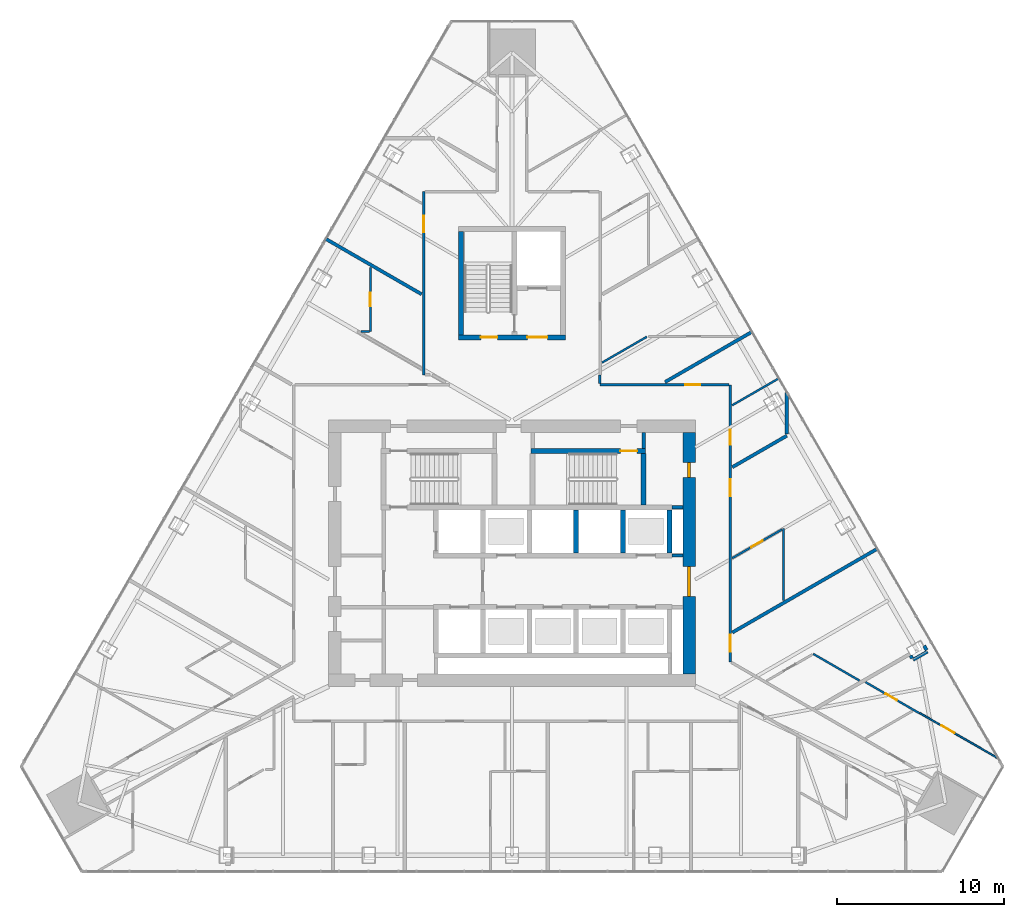
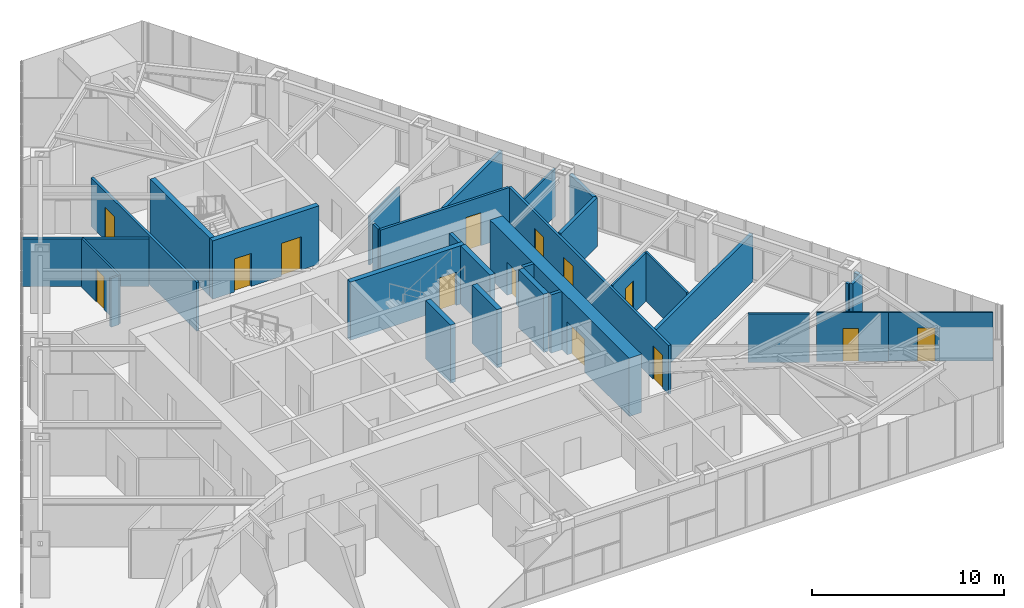
# One storey, part 21 of 24: 32 walls, 14 doors, 14 openings.
"""IFC4 building model written with IfcOpenShell, lengths in metres."""

from ifc_helpers import new_model, si_unit, direction, frame, frame_2d, origin, place, context, subcontext, project, spatial, rectangle, extrude, material, layer, layer_set, type_object, element, fill, save


model = new_model("IFC4")

# Units and contexts
model_context = context("Model", 3, precision=1e-05, world=origin(), true_north=direction((0.0, 1.0)))
body_context = subcontext(model_context, "Body", "Model", "MODEL_VIEW")
ifc_project = project(units=[si_unit("LENGTHUNIT", "METRE"), si_unit("AREAUNIT", "SQUARE_METRE"), si_unit("VOLUMEUNIT", "CUBIC_METRE"), si_unit("PLANEANGLEUNIT", "RADIAN"), si_unit("MASSUNIT", "GRAM", prefix="KILO")], contexts=[model_context])

# Site, building, storey
site_placement = place(None, origin())
site = spatial("IfcSite", under=ifc_project, at=site_placement, CompositionType="ELEMENT")
building_placement = place(site_placement, origin())
building = spatial("IfcBuilding", under=site, at=building_placement, Name="Firuza Gate Tower and Library", CompositionType="ELEMENT")
storey_placement = place(building_placement, frame((0.0, 0.0, 206.5)))
storey = spatial("IfcBuildingStorey", under=building, at=storey_placement, Name="L48", CompositionType="ELEMENT", Elevation=206.5)

# Walls
ifc_material_1 = material(Name="Plasterboard on steel studs", Category="steel")
ifc_layer_1 = layer(ifc_material_1, 0.199951171875)
ifc_layer_set_1 = layer_set([ifc_layer_1], Name="Core partition 200 EI 120")
wall_type_1 = type_object("IfcWallType", Name="Core partition 200 EI 120", PredefinedType="PARTITIONING", material=ifc_layer_set_1)
for number, where, z_axis, x_axis, name in (
    (1, (84.60009765625, 74.85009765625, 0.0), (0.0, 0.0, 1.0), (1.0, 0.0, 0.0), "Core partition L48 5"),
    (2, (84.60009765625, 77.75, 0.0), (0.0, 0.0, 1.0), (1.0, 0.0, 0.0), "Core partition L48 6"),
):
    element("IfcWall", number, at=place(storey_placement, frame(where, z_axis=z_axis, x_axis=x_axis)), inside=storey, type_object=wall_type_1, Name=name, PredefinedType="PARTITIONING", context=body_context, shape_type="SweptSolid", body=[
        extrude(rectangle(XDim=0.64990234375, YDim=0.199951171875, at=frame_2d((0.324951171875, 0.0))), origin(), (0.0, 0.0, 1.0), 3.699951171875),
    ])
ifc_material_2 = material(Name="Plasterboard on steel studs", Category="steel")
ifc_layer_2 = layer(ifc_material_2, 0.199951171875)
ifc_layer_set_2 = layer_set([ifc_layer_2], Name="Core partition 200 EI 60")
wall_type_2 = type_object("IfcWallType", Name="Core partition 200 EI 60", PredefinedType="PARTITIONING", material=ifc_layer_set_2)
wall_1_placement = place(storey_placement, frame((82.89990234375, 81.280029296875, 0.0), z_axis=(0.0, 0.0, 1.0), x_axis=(0.0, 1.0, 0.0)))
element("IfcWall", 3, at=wall_1_placement, inside=storey, type_object=wall_type_2, Name="Core partition L48 14", PredefinedType="PARTITIONING", context=body_context, shape_type="SweptSolid", body=[
    extrude(rectangle(XDim=0.969970703125, YDim=0.199951171875, at=frame_2d((0.48486328125, 0.0))), origin(), (0.0, 0.0, 1.0), 3.699951171875),
])
ifc_material_3 = material(Name="Concrete C80/95", Category="concrete")
ifc_layer_3 = layer(ifc_material_3, 0.300048828125)
ifc_layer_set_3 = layer_set([ifc_layer_3], Name="Core wall 300 C80/95")
wall_type_3 = type_object("IfcWallType", Name="Core wall 300 C80/95", PredefinedType="SHEAR", material=ifc_layer_set_3)
for number, where, z_axis, x_axis, name in (
    (4, (78.85009765625, 75.0, 0.0), (0.0, 0.0, 1.0), (0.0, 1.0, 0.0), "Core wall L48 15"),
    (5, (81.64990234375, 75.0, 0.0), (0.0, 0.0, 1.0), (0.0, 1.0, 0.0), "Core wall L48 17"),
    (6, (84.449951171875, 75.0, 0.0), (0.0, 0.0, 1.0), (0.0, 1.0, 0.0), "Core wall L48 19"),
):
    element("IfcWall", number, at=place(storey_placement, frame(where, z_axis=z_axis, x_axis=x_axis)), inside=storey, type_object=wall_type_3, Name=name, PredefinedType="SHEAR", context=body_context, shape_type="SweptSolid", body=[
        extrude(rectangle(XDim=2.60009765625, YDim=0.300048828125, at=frame_2d((1.300048828125, 0.0))), origin(), (0.0, 0.0, 1.0), 3.699951171875),
    ])

# Wall, opening, door
wall_2_placement = place(storey_placement, frame((76.139892578125, 81.1298828125, 0.0), z_axis=(0.0, 0.0, 1.0), x_axis=(1.0, 0.0, 0.0)))
wall_2 = element("IfcWall", 7, at=wall_2_placement, inside=storey, type_object=wall_type_3, Name="Core wall L48 22", PredefinedType="SHEAR", context=body_context, shape_type="SweptSolid", body=[
    extrude(rectangle(XDim=6.860107421875, YDim=0.300048828125, at=frame_2d((3.43017578125, 0.0))), origin(), (0.0, 0.0, 1.0), 3.699951171875),
])
opening_1_placement = place(wall_2_placement, frame((5.364990234375, 0.0, 0.0)))
opening_1 = element("IfcOpeningElement", 8, at=opening_1_placement, cuts=wall_2, Name="Opening L48-K13", PredefinedType="OPENING", context=body_context, shape_type="SweptSolid", body=[
    extrude(rectangle(XDim=1.0, YDim=2.10009765625, at=frame_2d((0.5, 1.050048828125))), frame((0.0, 0.16015625, 0.0), z_axis=(0.0, -1.0, 0.0), x_axis=(1.0, 0.0, 0.0)), (0.0, 0.0, 1.0), 0.320068359375),
])
ifc_material_4 = material(Name="Steel", Category="steel")
door_type_1 = type_object("IfcDoorType", Name="Fire door 1000x2100 FD90", OperationType="NOTDEFINED", PredefinedType="DOOR", material=ifc_material_4)
door_1_placement = place(opening_1_placement, origin())
door_1 = element("IfcDoor", 9, at=door_1_placement, inside=storey, type_object=door_type_1, Name="Door L48-K13", OperationType="SINGLE_SWING_RIGHT", OverallHeight=2.10009765625, OverallWidth=1.0, PredefinedType="DOOR", context=body_context, shape_type="SweptSolid", body=[
    extrude(rectangle(XDim=1.0, YDim=2.10009765625, at=frame_2d((0.5, 1.050048828125))), frame((0.0, 0.02490234375, 0.0), z_axis=(0.0, -1.0, 0.0), x_axis=(1.0, 0.0, 0.0)), (0.0, 0.0, 1.0), 0.050048828125),
])
fill(opening_1, door_1)

# Wall
wall_3_placement = place(storey_placement, frame((82.89990234375, 77.89990234375, 0.0), z_axis=(0.0, 0.0, 1.0), x_axis=(0.0, 1.0, 0.0)))
element("IfcWall", 10, at=wall_3_placement, inside=storey, type_object=wall_type_3, Name="Core wall L48 26", PredefinedType="SHEAR", context=body_context, shape_type="SweptSolid", body=[
    extrude(rectangle(XDim=3.080078125, YDim=0.300048828125, at=frame_2d((1.5400390625, 0.0))), origin(), (0.0, 0.0, 1.0), 3.699951171875),
])

# Wall, openings, doors
wall_4_placement = place(storey_placement, frame((71.800048828125, 87.949951171875, 0.0), z_axis=(0.0, 0.0, 1.0), x_axis=(1.0, 0.0, 0.0)))
wall_4 = element("IfcWall", 11, at=wall_4_placement, inside=storey, type_object=wall_type_3, Name="Core wall L48 27", PredefinedType="SHEAR", context=body_context, shape_type="SweptSolid", body=[
    extrude(rectangle(XDim=6.39990234375, YDim=0.300048828125, at=frame_2d((3.199951171875, 0.0))), origin(), (0.0, 0.0, 1.0), 3.699951171875),
])
opening_2_placement = place(wall_4_placement, frame((1.324951171875, 0.0, 0.0)))
opening_2 = element("IfcOpeningElement", 12, at=opening_2_placement, cuts=wall_4, Name="Opening L48-K15", PredefinedType="OPENING", context=body_context, shape_type="SweptSolid", body=[
    extrude(rectangle(XDim=1.0, YDim=2.10009765625, at=frame_2d((0.5, 1.050048828125))), frame((0.0, 0.16015625, 0.0), z_axis=(0.0, -1.0, 0.0), x_axis=(1.0, 0.0, 0.0)), (0.0, 0.0, 1.0), 0.320068359375),
])
opening_3_placement = place(wall_4_placement, frame((4.125, 0.0, 0.0)))
opening_3 = element("IfcOpeningElement", 13, at=opening_3_placement, cuts=wall_4, Name="Opening L48-K17", PredefinedType="OPENING", context=body_context, shape_type="SweptSolid", body=[
    extrude(rectangle(XDim=1.199951171875, YDim=2.10009765625, at=frame_2d((0.60009765625, 1.050048828125))), frame((0.0, 0.16015625, 0.0), z_axis=(0.0, -1.0, 0.0), x_axis=(1.0, 0.0, 0.0)), (0.0, 0.0, 1.0), 0.320068359375),
])
door_2_placement = place(opening_2_placement, origin())
door_2 = element("IfcDoor", 14, at=door_2_placement, inside=storey, type_object=door_type_1, Name="Door L48-K15", OperationType="SINGLE_SWING_RIGHT", OverallHeight=2.10009765625, OverallWidth=1.0, PredefinedType="DOOR", context=body_context, shape_type="SweptSolid", body=[
    extrude(rectangle(XDim=1.0, YDim=2.10009765625, at=frame_2d((0.5, 1.050048828125))), frame((0.0, 0.02490234375, 0.0), z_axis=(0.0, -1.0, 0.0), x_axis=(1.0, 0.0, 0.0)), (0.0, 0.0, 1.0), 0.050048828125),
])
fill(opening_2, door_2)
ifc_material_5 = material(Name="Steel", Category="steel")
door_type_2 = type_object("IfcDoorType", Name="Fire door 1200x2100 FD30S", OperationType="NOTDEFINED", PredefinedType="DOOR", material=ifc_material_5)
door_3_placement = place(opening_3_placement, origin())
door_3 = element("IfcDoor", 15, at=door_3_placement, inside=storey, type_object=door_type_2, Name="Door L48-K17", OperationType="SINGLE_SWING_RIGHT", OverallHeight=2.10009765625, OverallWidth=1.199951171875, PredefinedType="DOOR", context=body_context, shape_type="SweptSolid", body=[
    extrude(rectangle(XDim=1.199951171875, YDim=2.10009765625, at=frame_2d((0.60009765625, 1.050048828125))), frame((0.0, 0.02490234375, 0.0), z_axis=(0.0, -1.0, 0.0), x_axis=(1.0, 0.0, 0.0)), (0.0, 0.0, 1.0), 0.050048828125),
])
fill(opening_3, door_3)

# Wall
wall_5_placement = place(storey_placement, frame((71.949951171875, 88.10009765625, 0.0), z_axis=(0.0, 0.0, 1.0), x_axis=(0.0, 1.0, 0.0)))
element("IfcWall", 16, at=wall_5_placement, inside=storey, type_object=wall_type_3, Name="Core wall L48 29", PredefinedType="SHEAR", context=body_context, shape_type="SweptSolid", body=[
    extrude(rectangle(XDim=6.199951171875, YDim=0.300048828125, at=frame_2d((3.10009765625, 0.0))), origin(), (0.0, 0.0, 1.0), 3.699951171875),
])

# Wall, openings, doors
ifc_material_6 = material(Name="Concrete C80/95", Category="concrete")
ifc_layer_4 = layer(ifc_material_6, 0.75)
ifc_layer_set_4 = layer_set([ifc_layer_4], Name="Core wall 750 C80/95")
wall_type_4 = type_object("IfcWallType", Name="Core wall 750 C80/95", PredefinedType="SHEAR", material=ifc_layer_set_4)
wall_6_placement = place(storey_placement, frame((85.625, 67.75, 0.0), z_axis=(0.0, 0.0, 1.0), x_axis=(0.0, 1.0, 0.0)))
wall_6 = element("IfcWall", 17, at=wall_6_placement, inside=storey, type_object=wall_type_4, Name="Core wall L48 4", PredefinedType="SHEAR", context=body_context, shape_type="SweptSolid", body=[
    extrude(rectangle(XDim=14.5, YDim=0.75, at=frame_2d((7.25, 0.0))), origin(), (0.0, 0.0, 1.0), 3.699951171875),
])
opening_4_placement = place(wall_6_placement, frame((4.64990234375, 0.0, 0.0)))
opening_4 = element("IfcOpeningElement", 18, at=opening_4_placement, cuts=wall_6, Name="Opening L48-K21", PredefinedType="OPENING", context=body_context, shape_type="SweptSolid", body=[
    extrude(rectangle(XDim=1.800048828125, YDim=2.10009765625, at=frame_2d((0.89990234375, 1.050048828125))), frame((0.0, 0.385009765625, 0.0), z_axis=(0.0, -1.0, 0.0), x_axis=(1.0, 0.0, 0.0)), (0.0, 0.0, 1.0), 0.77001953125),
])
opening_5_placement = place(wall_6_placement, frame((11.800048828125, 0.0, 0.0)))
opening_5 = element("IfcOpeningElement", 19, at=opening_5_placement, cuts=wall_6, Name="Opening L48-K27", PredefinedType="OPENING", context=body_context, shape_type="SweptSolid", body=[
    extrude(rectangle(XDim=0.89990234375, YDim=2.10009765625, at=frame_2d((0.449951171875, 1.050048828125))), frame((0.0, 0.385009765625, 0.0), z_axis=(0.0, -1.0, 0.0), x_axis=(1.0, 0.0, 0.0)), (0.0, 0.0, 1.0), 0.77001953125),
])
ifc_material_7 = material(Name="Steel", Category="steel")
door_type_3 = type_object("IfcDoorType", Name="Fire door 1800x2100 FD30S", OperationType="NOTDEFINED", PredefinedType="DOOR", material=ifc_material_7)
door_4_placement = place(opening_4_placement, origin())
door_4 = element("IfcDoor", 20, at=door_4_placement, inside=storey, type_object=door_type_3, Name="Door L48-K21", OperationType="SINGLE_SWING_RIGHT", OverallHeight=2.10009765625, OverallWidth=1.800048828125, PredefinedType="DOOR", context=body_context, shape_type="SweptSolid", body=[
    extrude(rectangle(XDim=1.800048828125, YDim=2.10009765625, at=frame_2d((0.89990234375, 1.050048828125))), frame((0.0, 0.094970703125, 0.0), z_axis=(0.0, -1.0, 0.0), x_axis=(1.0, 0.0, 0.0)), (0.0, 0.0, 1.0), 0.18994140625),
])
fill(opening_4, door_4)
ifc_material_8 = material(Name="Steel", Category="steel")
door_type_4 = type_object("IfcDoorType", Name="Fire door 900x2100 FD30S", OperationType="NOTDEFINED", PredefinedType="DOOR", material=ifc_material_8)
door_5_placement = place(opening_5_placement, origin())
door_5 = element("IfcDoor", 21, at=door_5_placement, inside=storey, type_object=door_type_4, Name="Door L48-K27", OperationType="SINGLE_SWING_RIGHT", OverallHeight=2.10009765625, OverallWidth=0.89990234375, PredefinedType="DOOR", context=body_context, shape_type="SweptSolid", body=[
    extrude(rectangle(XDim=0.89990234375, YDim=2.10009765625, at=frame_2d((0.449951171875, 1.050048828125))), frame((0.0, 0.094970703125, 0.0), z_axis=(0.0, -1.0, 0.0), x_axis=(1.0, 0.0, 0.0)), (0.0, 0.0, 1.0), 0.18994140625),
])
fill(opening_5, door_5)

# Wall, opening, door
ifc_material_9 = material(Name="Gypsum board partition")
ifc_layer_5 = layer(ifc_material_9, 0.14990234375)
ifc_layer_set_5 = layer_set([ifc_layer_5], Name="Corridor wall 150 double board on steel studs")
wall_type_5 = type_object("IfcWallType", Name="Corridor wall 150 double board on steel studs", PredefinedType="PARTITIONING", material=ifc_layer_set_5)
wall_7_placement = place(storey_placement, frame((80.280517578125, 85.10009765625, 0.0), z_axis=(0.0, 0.0, 1.0), x_axis=(1.0, 0.0, 0.0)))
wall_7 = element("IfcWall", 22, at=wall_7_placement, inside=storey, type_object=wall_type_5, Name="f:L48:w010", PredefinedType="PARTITIONING", context=body_context, shape_type="SweptSolid", body=[
    extrude(rectangle(XDim=7.744384765625, YDim=0.14990234375, at=frame_2d((3.8720703125, 0.0))), origin(), (0.0, 0.0, 1.0), 3.10009765625),
])
opening_6_placement = place(wall_7_placement, frame((5.13037109375, 0.0, 0.0)))
opening_6 = element("IfcOpeningElement", 23, at=opening_6_placement, cuts=wall_7, Name="Opening L48-10", PredefinedType="OPENING", context=body_context, shape_type="SweptSolid", body=[
    extrude(rectangle(XDim=0.89990234375, YDim=2.10009765625, at=frame_2d((0.449951171875, 1.050048828125))), frame((0.0, 0.0849609375, 0.0), z_axis=(0.0, -1.0, 0.0), x_axis=(1.0, 0.0, 0.0)), (0.0, 0.0, 1.0), 0.169921875),
])
ifc_material_10 = material(Name="Steel door and timber leaf", Category="steel")
door_type_5 = type_object("IfcDoorType", Name="Fire door 900 x 2100 steel frame, timber leaf", OperationType="NOTDEFINED", PredefinedType="DOOR", material=ifc_material_10)
door_6_placement = place(opening_6_placement, origin())
door_6 = element("IfcDoor", 24, at=door_6_placement, inside=storey, type_object=door_type_5, Name="f:L48:d010", OperationType="SINGLE_SWING_RIGHT", OverallHeight=2.10009765625, OverallWidth=0.89990234375, PredefinedType="DOOR", context=body_context, shape_type="SweptSolid", body=[
    extrude(rectangle(XDim=0.89990234375, YDim=2.10009765625, at=frame_2d((0.449951171875, 1.050048828125))), frame((0.0, 0.02490234375, 0.0), z_axis=(0.0, -1.0, 0.0), x_axis=(1.0, 0.0, 0.0)), (0.0, 0.0, 1.0), 0.050048828125),
])
fill(opening_6, door_6)

# Wall, openings, doors
wall_8_placement = place(storey_placement, frame((88.10009765625, 85.10009765625, 0.0), z_axis=(0.0, 0.0, 1.0), x_axis=(0.0, -1.0, 0.0)))
wall_8 = element("IfcWall", 25, at=wall_8_placement, inside=storey, type_object=wall_type_5, Name="f:L48:w045", PredefinedType="PARTITIONING", context=body_context, shape_type="SweptSolid", body=[
    extrude(rectangle(XDim=16.6240234375, YDim=0.14990234375, at=frame_2d((8.31201171875, 0.0))), origin(), (0.0, 0.0, 1.0), 3.10009765625),
])
opening_7_placement = place(wall_8_placement, frame((2.706787109375, 0.0, 0.0)))
opening_7 = element("IfcOpeningElement", 26, at=opening_7_placement, cuts=wall_8, Name="Opening L48-23", PredefinedType="OPENING", context=body_context, shape_type="SweptSolid", body=[
    extrude(rectangle(XDim=0.89990234375, YDim=2.10009765625, at=frame_2d((0.449951171875, 1.050048828125))), frame((0.0, 0.0849609375, 0.0), z_axis=(0.0, -1.0, 0.0), x_axis=(1.0, 0.0, 0.0)), (0.0, 0.0, 1.0), 0.169921875),
])
opening_8_placement = place(wall_8_placement, frame((5.68359375, 0.0, 0.0)))
opening_8 = element("IfcOpeningElement", 27, at=opening_8_placement, cuts=wall_8, Name="Opening L48-24", PredefinedType="OPENING", context=body_context, shape_type="SweptSolid", body=[
    extrude(rectangle(XDim=1.0, YDim=2.10009765625, at=frame_2d((0.5, 1.050048828125))), frame((0.0, 0.0849609375, 0.0), z_axis=(0.0, -1.0, 0.0), x_axis=(1.0, 0.0, 0.0)), (0.0, 0.0, 1.0), 0.169921875),
])
opening_9_placement = place(wall_8_placement, frame((15.01025390625, 0.0, 0.0)))
opening_9 = element("IfcOpeningElement", 28, at=opening_9_placement, cuts=wall_8, Name="Opening L48-25", PredefinedType="OPENING", context=body_context, shape_type="SweptSolid", body=[
    extrude(rectangle(XDim=1.0, YDim=2.10009765625, at=frame_2d((0.5, 1.050048828125))), frame((0.0, 0.0849609375, 0.0), z_axis=(0.0, -1.0, 0.0), x_axis=(1.0, 0.0, 0.0)), (0.0, 0.0, 1.0), 0.169921875),
])
ifc_material_11 = material(Name="Steel door and timber leaf", Category="steel")
door_type_6 = type_object("IfcDoorType", Name="Fire door 1000 x 2100 steel frame, timber leaf", OperationType="NOTDEFINED", PredefinedType="DOOR", material=ifc_material_11)
door_7_placement = place(opening_8_placement, origin())
door_7 = element("IfcDoor", 29, at=door_7_placement, inside=storey, type_object=door_type_6, Name="f:L48:d024", OperationType="SINGLE_SWING_RIGHT", OverallHeight=2.10009765625, OverallWidth=1.0, PredefinedType="DOOR", context=body_context, shape_type="SweptSolid", body=[
    extrude(rectangle(XDim=1.0, YDim=2.10009765625, at=frame_2d((0.5, 1.050048828125))), frame((0.0, 0.02490234375, 0.0), z_axis=(0.0, -1.0, 0.0), x_axis=(1.0, 0.0, 0.0)), (0.0, 0.0, 1.0), 0.050048828125),
])
fill(opening_8, door_7)
door_8_placement = place(opening_9_placement, origin())
door_8 = element("IfcDoor", 30, at=door_8_placement, inside=storey, type_object=door_type_6, Name="f:L48:d025", OperationType="SINGLE_SWING_RIGHT", OverallHeight=2.10009765625, OverallWidth=1.0, PredefinedType="DOOR", context=body_context, shape_type="SweptSolid", body=[
    extrude(rectangle(XDim=1.0, YDim=2.10009765625, at=frame_2d((0.5, 1.050048828125))), frame((0.0, 0.02490234375, 0.0), z_axis=(0.0, -1.0, 0.0), x_axis=(1.0, 0.0, 0.0)), (0.0, 0.0, 1.0), 0.050048828125),
])
fill(opening_9, door_8)
door_9_placement = place(opening_7_placement, origin())
door_9 = element("IfcDoor", 31, at=door_9_placement, inside=storey, type_object=door_type_5, Name="f:L48:d023", OperationType="SINGLE_SWING_RIGHT", OverallHeight=2.10009765625, OverallWidth=0.89990234375, PredefinedType="DOOR", context=body_context, shape_type="SweptSolid", body=[
    extrude(rectangle(XDim=0.89990234375, YDim=2.10009765625, at=frame_2d((0.449951171875, 1.050048828125))), frame((0.0, 0.02490234375, 0.0), z_axis=(0.0, -1.0, 0.0), x_axis=(1.0, 0.0, 0.0)), (0.0, 0.0, 1.0), 0.050048828125),
])
fill(opening_7, door_9)

# Wall
wall_9_placement = place(storey_placement, frame((80.281005859375, 85.175048828125, 0.0), z_axis=(0.0, 0.0, 1.0), x_axis=(0.0, 1.0, 0.0)))
element("IfcWall", 32, at=wall_9_placement, inside=storey, type_object=wall_type_5, Name="f:L48:w051", PredefinedType="PARTITIONING", context=body_context, shape_type="SweptSolid", body=[
    extrude(rectangle(XDim=0.52490234375, YDim=0.14990234375, at=frame_2d((0.262451171875, 0.0))), origin(), (0.0, 0.0, 1.0), 3.10009765625),
])

# Wall, opening, door
wall_10_placement = place(storey_placement, frame((69.699951171875, 85.700439453125, 0.0), z_axis=(0.0, 0.0, 1.0), x_axis=(0.0, 1.0, 0.0)))
wall_10 = element("IfcWall", 33, at=wall_10_placement, inside=storey, type_object=wall_type_5, Name="f:L48:w058", PredefinedType="PARTITIONING", context=body_context, shape_type="SweptSolid", body=[
    extrude(rectangle(XDim=10.9990234375, YDim=0.14990234375, at=frame_2d((5.49951171875, 0.0))), origin(), (0.0, 0.0, 1.0), 3.096923828125),
])
opening_10_placement = place(wall_10_placement, frame((8.554931640625, 0.0, 0.0)))
opening_10 = element("IfcOpeningElement", 34, at=opening_10_placement, cuts=wall_10, Name="Opening L48-31", PredefinedType="OPENING", context=body_context, shape_type="SweptSolid", body=[
    extrude(rectangle(XDim=1.0, YDim=2.10009765625, at=frame_2d((0.5, 1.050048828125))), frame((0.0, 0.0849609375, 0.0), z_axis=(0.0, -1.0, 0.0), x_axis=(1.0, 0.0, 0.0)), (0.0, 0.0, 1.0), 0.169921875),
])
door_10_placement = place(opening_10_placement, origin())
door_10 = element("IfcDoor", 35, at=door_10_placement, inside=storey, type_object=door_type_6, Name="f:L48:d031", OperationType="SINGLE_SWING_RIGHT", OverallHeight=2.10009765625, OverallWidth=1.0, PredefinedType="DOOR", context=body_context, shape_type="SweptSolid", body=[
    extrude(rectangle(XDim=1.0, YDim=2.10009765625, at=frame_2d((0.5, 1.050048828125))), frame((0.0, 0.02490234375, 0.0), z_axis=(0.0, -1.0, 0.0), x_axis=(1.0, 0.0, 0.0)), (0.0, 0.0, 1.0), 0.050048828125),
])
fill(opening_10, door_10)

# Walls
ifc_material_12 = material(Name="Gypsum board partition")
ifc_layer_6 = layer(ifc_material_12, 0.199951171875)
ifc_layer_set_6 = layer_set([ifc_layer_6], Name="Demising wall 200 acoustic double stud")
wall_type_6 = type_object("IfcWallType", Name="Demising wall 200 acoustic double stud", PredefinedType="PARTITIONING", material=ifc_layer_set_6)
wall_11_placement = place(storey_placement, frame((99.072509765625, 68.589599609375, 0.0), z_axis=(0.0, 0.0, 1.0), x_axis=(0.866039090965, 0.499976292358, 0.0)))
element("IfcWall", 36, at=wall_11_placement, inside=storey, type_object=wall_type_6, Name="f:L48:w019", PredefinedType="PARTITIONING", context=body_context, shape_type="SweptSolid", body=[
    extrude(rectangle(XDim=0.9990234375, YDim=0.199951171875, at=frame_2d((0.49951171875, 0.0))), origin(), (0.0, 0.0, 1.0), 3.10009765625),
])
wall_12_placement = place(storey_placement, frame((88.226806640625, 70.23291015625, 0.0), z_axis=(0.0, 0.0, 1.0), x_axis=(0.866032780528, 0.499987222889, 0.0)))
element("IfcWall", 37, at=wall_12_placement, inside=storey, type_object=wall_type_6, Name="f:L48:w022", PredefinedType="PARTITIONING", context=body_context, shape_type="SweptSolid", body=[
    extrude(rectangle(XDim=10.030517578125, YDim=0.199951171875, at=frame_2d((5.01513671875, 0.0))), origin(), (0.0, 0.0, 1.0), 3.02197265625),
])
wall_13_placement = place(storey_placement, frame((88.227294921875, 80.1552734375, 0.0), z_axis=(0.0, 0.0, 1.0), x_axis=(0.86599624775, 0.500050496333, 0.0)))
element("IfcWall", 38, at=wall_13_placement, inside=storey, type_object=wall_type_6, Name="f:L48:w026", PredefinedType="PARTITIONING", context=body_context, shape_type="SweptSolid", body=[
    extrude(rectangle(XDim=3.779296875, YDim=0.199951171875, at=frame_2d((1.8896484375, 0.0))), origin(), (0.0, 0.0, 1.0), 3.10009765625),
])
wall_14_placement = place(storey_placement, frame((84.185546875, 85.26513671875, 0.0), z_axis=(0.0, 0.0, 1.0), x_axis=(0.866028754818, 0.499994195795, 0.0)))
element("IfcWall", 39, at=wall_14_placement, inside=storey, type_object=wall_type_6, Name="f:L48:w032", PredefinedType="PARTITIONING", context=body_context, shape_type="SweptSolid", body=[
    extrude(rectangle(XDim=6.01416015625, YDim=0.199951171875, at=frame_2d((3.007080078125, 0.0))), origin(), (0.0, 0.0, 1.0), 3.02197265625),
])
wall_15_placement = place(storey_placement, frame((91.5, 82.160888671875, 0.0), z_axis=(0.0, 0.0, 1.0), x_axis=(0.0, 1.0, 0.0)))
element("IfcWall", 40, at=wall_15_placement, inside=storey, type_object=wall_type_6, Name="f:L48:w042", PredefinedType="PARTITIONING", context=body_context, shape_type="SweptSolid", body=[
    extrude(rectangle(XDim=2.463623046875, YDim=0.199951171875, at=frame_2d((1.23193359375, 0.0))), origin(), (0.0, 0.0, 1.0), 3.02197265625),
])
wall_16_placement = place(storey_placement, frame((99.887939453125, 69.177001953125, 0.0), z_axis=(0.0, 0.0, 1.0), x_axis=(-0.500005339912, 0.866022320763, 0.0)))
element("IfcWall", 41, at=wall_16_placement, inside=storey, type_object=wall_type_6, Name="f:L48:w072", PredefinedType="PARTITIONING", context=body_context, shape_type="SweptSolid", body=[
    extrude(rectangle(XDim=0.298828125, YDim=0.199951171875, at=frame_2d((0.1494140625, 0.0))), origin(), (0.0, 0.0, 1.0), 3.10009765625),
])
wall_17_placement = place(storey_placement, frame((99.02197265625, 68.677001953125, 0.0), z_axis=(0.0, 0.0, 1.0), x_axis=(-0.4999705729, 0.866042392862, 0.0)))
element("IfcWall", 42, at=wall_17_placement, inside=storey, type_object=wall_type_6, Name="f:L48:w073", PredefinedType="PARTITIONING", context=body_context, shape_type="SweptSolid", body=[
    extrude(rectangle(XDim=0.19873046875, YDim=0.199951171875, at=frame_2d((0.099365234375, 0.0))), origin(), (0.0, 0.0, 1.0), 3.10009765625),
])
wall_18_placement = place(storey_placement, frame((69.572998046875, 90.537109375, 0.0), z_axis=(0.0, 0.0, 1.0), x_axis=(-0.866026229868, 0.499998569178, 0.0)))
element("IfcWall", 43, at=wall_18_placement, inside=storey, type_object=wall_type_6, Name="f:L48:w078", PredefinedType="PARTITIONING", context=body_context, shape_type="SweptSolid", body=[
    extrude(rectangle(XDim=6.63330078125, YDim=0.199951171875, at=frame_2d((3.316650390625, 0.0))), origin(), (0.0, 0.0, 1.0), 3.02197265625),
])

# Wall, opening, door
ifc_material_13 = material(Name="Gypsum board partition")
ifc_layer_7 = layer(ifc_material_13, 0.10009765625)
ifc_layer_set_7 = layer_set([ifc_layer_7], Name="Partition 100 gypsum board on steel studs")
wall_type_7 = type_object("IfcWallType", Name="Partition 100 gypsum board on steel studs", PredefinedType="PARTITIONING", material=ifc_layer_set_7)
wall_19_placement = place(storey_placement, frame((99.475341796875, 65.39453125, 0.0), z_axis=(0.0, 0.0, 1.0), x_axis=(0.866018196172, -0.500012483742, 0.0)))
wall_19 = element("IfcWall", 44, at=wall_19_placement, inside=storey, type_object=wall_type_7, Name="f:L48:w081", PredefinedType="PARTITIONING", context=body_context, shape_type="SweptSolid", body=[
    extrude(rectangle(XDim=5.416259765625, YDim=0.10009765625, at=frame_2d((2.7080078125, 0.0))), origin(), (0.0, 0.0, 1.0), 3.10009765625),
])
opening_11_placement = place(wall_19_placement, frame((1.502685546875, 0.0, 0.0)))
opening_11 = element("IfcOpeningElement", 45, at=opening_11_placement, cuts=wall_19, Name="Opening L48-39", PredefinedType="OPENING", context=body_context, shape_type="SweptSolid", body=[
    extrude(rectangle(XDim=0.89990234375, YDim=2.10009765625, at=frame_2d((0.449951171875, 1.050048828125))), frame((0.0, 0.06005859375, 0.0), z_axis=(0.0, -1.0, 0.0), x_axis=(1.0, 0.0, 0.0)), (0.0, 0.0, 1.0), 0.1201171875),
])
ifc_material_14 = material(Name="Timber door", Category="wood")
door_type_7 = type_object("IfcDoorType", Name="Door 900 x 2100 timber leaf", OperationType="NOTDEFINED", PredefinedType="DOOR", material=ifc_material_14)
door_11_placement = place(opening_11_placement, origin())
door_11 = element("IfcDoor", 46, at=door_11_placement, inside=storey, type_object=door_type_7, Name="f:L48:d039", OperationType="SINGLE_SWING_RIGHT", OverallHeight=2.10009765625, OverallWidth=0.89990234375, PredefinedType="DOOR", context=body_context, shape_type="SweptSolid", body=[
    extrude(rectangle(XDim=0.89990234375, YDim=2.10009765625, at=frame_2d((0.449951171875, 1.050048828125))), frame((0.0, 0.02490234375, 0.0), z_axis=(0.0, -1.0, 0.0), x_axis=(1.0, 0.0, 0.0)), (0.0, 0.0, 1.0), 0.050048828125),
])
fill(opening_11, door_11)

# Wall
ifc_material_15 = material(Name="Gypsum board partition")
ifc_layer_8 = layer(ifc_material_15, 0.1201171875)
ifc_layer_set_8 = layer_set([ifc_layer_8], Name="Wet-area partition 120 moisture-resistant board")
wall_type_8 = type_object("IfcWallType", Name="Wet-area partition 120 moisture-resistant board", PredefinedType="PARTITIONING", material=ifc_layer_set_8)
wall_20_placement = place(storey_placement, frame((65.943603515625, 88.300048828125, 0.0), z_axis=(0.0, 0.0, 1.0), x_axis=(1.0, 0.0, 0.0)))
element("IfcWall", 47, at=wall_20_placement, inside=storey, type_object=wall_type_8, Name="f:L48:w013", PredefinedType="PARTITIONING", context=body_context, shape_type="SweptSolid", body=[
    extrude(rectangle(XDim=0.496337890625, YDim=0.1201171875, at=frame_2d((0.248046875, 0.0))), origin(), (0.0, 0.0, 1.0), 3.096923828125),
])

# Wall, opening, door
wall_21_placement = place(storey_placement, frame((91.205322265625, 76.417724609375, 0.0), z_axis=(0.0, 0.0, 1.0), x_axis=(-0.865997524453, -0.50004828531, 0.0)))
wall_21 = element("IfcWall", 48, at=wall_21_placement, inside=storey, type_object=wall_type_8, Name="f:L48:w023", PredefinedType="PARTITIONING", context=body_context, shape_type="SweptSolid", body=[
    extrude(rectangle(XDim=3.459228515625, YDim=0.1201171875, at=frame_2d((1.7294921875, 0.0))), origin(), (0.0, 0.0, 1.0), 3.10009765625),
])
opening_12_placement = place(wall_21_placement, frame((1.32958984375, 0.0, 0.0)))
opening_12 = element("IfcOpeningElement", 49, at=opening_12_placement, cuts=wall_21, Name="Opening L48-14", PredefinedType="OPENING", context=body_context, shape_type="SweptSolid", body=[
    extrude(rectangle(XDim=0.800048828125, YDim=2.10009765625, at=frame_2d((0.39990234375, 1.050048828125))), frame((0.0, 0.070068359375, 0.0), z_axis=(0.0, -1.0, 0.0), x_axis=(1.0, 0.0, 0.0)), (0.0, 0.0, 1.0), 0.14013671875),
])
ifc_material_16 = material(Name="Timber door", Category="wood")
door_type_8 = type_object("IfcDoorType", Name="Door 800 x 2100 timber leaf", OperationType="NOTDEFINED", PredefinedType="DOOR", material=ifc_material_16)
door_12_placement = place(opening_12_placement, origin())
door_12 = element("IfcDoor", 50, at=door_12_placement, inside=storey, type_object=door_type_8, Name="f:L48:d014", OperationType="SINGLE_SWING_LEFT", OverallHeight=2.10009765625, OverallWidth=0.800048828125, PredefinedType="DOOR", context=body_context, shape_type="SweptSolid", body=[
    extrude(rectangle(XDim=0.800048828125, YDim=2.10009765625, at=frame_2d((0.39990234375, 1.050048828125))), frame((0.0, 0.02490234375, 0.0), z_axis=(0.0, -1.0, 0.0), x_axis=(1.0, 0.0, 0.0)), (0.0, 0.0, 1.0), 0.050048828125),
])
fill(opening_12, door_12)

# Walls
wall_22_placement = place(storey_placement, frame((88.209716796875, 83.866943359375, 0.0), z_axis=(0.0, 0.0, 1.0), x_axis=(0.86605210011, 0.499953757757, 0.0)))
element("IfcWall", 51, at=wall_22_placement, inside=storey, type_object=wall_type_8, Name="f:L48:w030", PredefinedType="PARTITIONING", context=body_context, shape_type="SweptSolid", body=[
    extrude(rectangle(XDim=3.228271484375, YDim=0.1201171875, at=frame_2d((1.6142578125, 0.0))), origin(), (0.0, 0.0, 1.0), 3.02197265625),
])
wall_23_placement = place(storey_placement, frame((80.40966796875, 86.433837890625, 0.0), z_axis=(0.0, 0.0, 1.0), x_axis=(0.866030936828, 0.499990416364, 0.0)))
element("IfcWall", 52, at=wall_23_placement, inside=storey, type_object=wall_type_8, Name="f:L48:w033", PredefinedType="PARTITIONING", context=body_context, shape_type="SweptSolid", body=[
    extrude(rectangle(XDim=3.10205078125, YDim=0.1201171875, at=frame_2d((1.551025390625, 0.0))), origin(), (0.0, 0.0, 1.0), 3.10009765625),
])
wall_24_placement = place(storey_placement, frame((91.300048828125, 72.162353515625, 0.0), z_axis=(0.0, 0.0, 1.0), x_axis=(0.0, 1.0, 0.0)))
element("IfcWall", 53, at=wall_24_placement, inside=storey, type_object=wall_type_8, Name="f:L48:w043", PredefinedType="PARTITIONING", context=body_context, shape_type="SweptSolid", body=[
    extrude(rectangle(XDim=4.309814453125, YDim=0.1201171875, at=frame_2d((2.15478515625, 0.0))), origin(), (0.0, 0.0, 1.0), 3.10009765625),
])

# Wall, opening, door
wall_25_placement = place(storey_placement, frame((66.5, 92.156005859375, 0.0), z_axis=(0.0, 0.0, 1.0), x_axis=(0.0, -1.0, 0.0)))
wall_25 = element("IfcWall", 54, at=wall_25_placement, inside=storey, type_object=wall_type_8, Name="f:L48:w060", PredefinedType="PARTITIONING", context=body_context, shape_type="SweptSolid", body=[
    extrude(rectangle(XDim=3.85595703125, YDim=0.1201171875, at=frame_2d((1.927978515625, 0.0))), origin(), (0.0, 0.0, 1.0), 3.10009765625),
])
opening_13_placement = place(wall_25_placement, frame((1.528076171875, 0.0, 0.0)))
opening_13 = element("IfcOpeningElement", 55, at=opening_13_placement, cuts=wall_25, Name="Opening L48-32", PredefinedType="OPENING", context=body_context, shape_type="SweptSolid", body=[
    extrude(rectangle(XDim=0.800048828125, YDim=2.10009765625, at=frame_2d((0.39990234375, 1.050048828125))), frame((0.0, 0.070068359375, 0.0), z_axis=(0.0, -1.0, 0.0), x_axis=(1.0, 0.0, 0.0)), (0.0, 0.0, 1.0), 0.14013671875),
])
door_13_placement = place(opening_13_placement, origin())
door_13 = element("IfcDoor", 56, at=door_13_placement, inside=storey, type_object=door_type_8, Name="f:L48:d032", OperationType="SINGLE_SWING_RIGHT", OverallHeight=2.10009765625, OverallWidth=0.800048828125, PredefinedType="DOOR", context=body_context, shape_type="SweptSolid", body=[
    extrude(rectangle(XDim=0.800048828125, YDim=2.10009765625, at=frame_2d((0.39990234375, 1.050048828125))), frame((0.0, 0.02490234375, 0.0), z_axis=(0.0, -1.0, 0.0), x_axis=(1.0, 0.0, 0.0)), (0.0, 0.0, 1.0), 0.050048828125),
])
fill(opening_13, door_13)

wall_26_placement = place(storey_placement, frame((99.455810546875, 65.384033203125, 0.0), z_axis=(0.0, 0.0, 1.0), x_axis=(-0.866053838069, 0.49995074714, 0.0)))
wall_26 = element("IfcWall", 57, at=wall_26_placement, inside=storey, type_object=wall_type_8, Name="f:L48:w082", PredefinedType="PARTITIONING", context=body_context, shape_type="SweptSolid", body=[
    extrude(rectangle(XDim=3.73388671875, YDim=0.1201171875, at=frame_2d((1.866943359375, 0.0))), origin(), (0.0, 0.0, 1.0), 3.10009765625),
])
opening_14_placement = place(wall_26_placement, frame((1.556396484375, 0.0, 0.0)))
opening_14 = element("IfcOpeningElement", 58, at=opening_14_placement, cuts=wall_26, Name="Opening L48-40", PredefinedType="OPENING", context=body_context, shape_type="SweptSolid", body=[
    extrude(rectangle(XDim=0.800048828125, YDim=2.10009765625, at=frame_2d((0.39990234375, 1.050048828125))), frame((0.0, 0.070068359375, 0.0), z_axis=(0.0, -1.0, 0.0), x_axis=(1.0, 0.0, 0.0)), (0.0, 0.0, 1.0), 0.14013671875),
])
door_14_placement = place(opening_14_placement, origin())
door_14 = element("IfcDoor", 59, at=door_14_placement, inside=storey, type_object=door_type_8, Name="f:L48:d040", OperationType="SINGLE_SWING_RIGHT", OverallHeight=2.10009765625, OverallWidth=0.800048828125, PredefinedType="DOOR", context=body_context, shape_type="SweptSolid", body=[
    extrude(rectangle(XDim=0.800048828125, YDim=2.10009765625, at=frame_2d((0.39990234375, 1.050048828125))), frame((0.0, 0.02490234375, 0.0), z_axis=(0.0, -1.0, 0.0), x_axis=(1.0, 0.0, 0.0)), (0.0, 0.0, 1.0), 0.050048828125),
])
fill(opening_14, door_14)

# Wall
wall_27_placement = place(storey_placement, frame((95.852783203125, 67.3486328125, 0.0), z_axis=(0.0, 0.0, 1.0), x_axis=(-0.866032814021, 0.499987164874, 0.0)))
element("IfcWall", 60, at=wall_27_placement, inside=storey, type_object=wall_type_8, Name="f:L48:w083", PredefinedType="PARTITIONING", context=body_context, shape_type="SweptSolid", body=[
    extrude(rectangle(XDim=3.193359375, YDim=0.1201171875, at=frame_2d((1.5966796875, 0.0))), origin(), (0.0, 0.0, 1.0), 3.10009765625),
])

save(model, "model.ifc")
